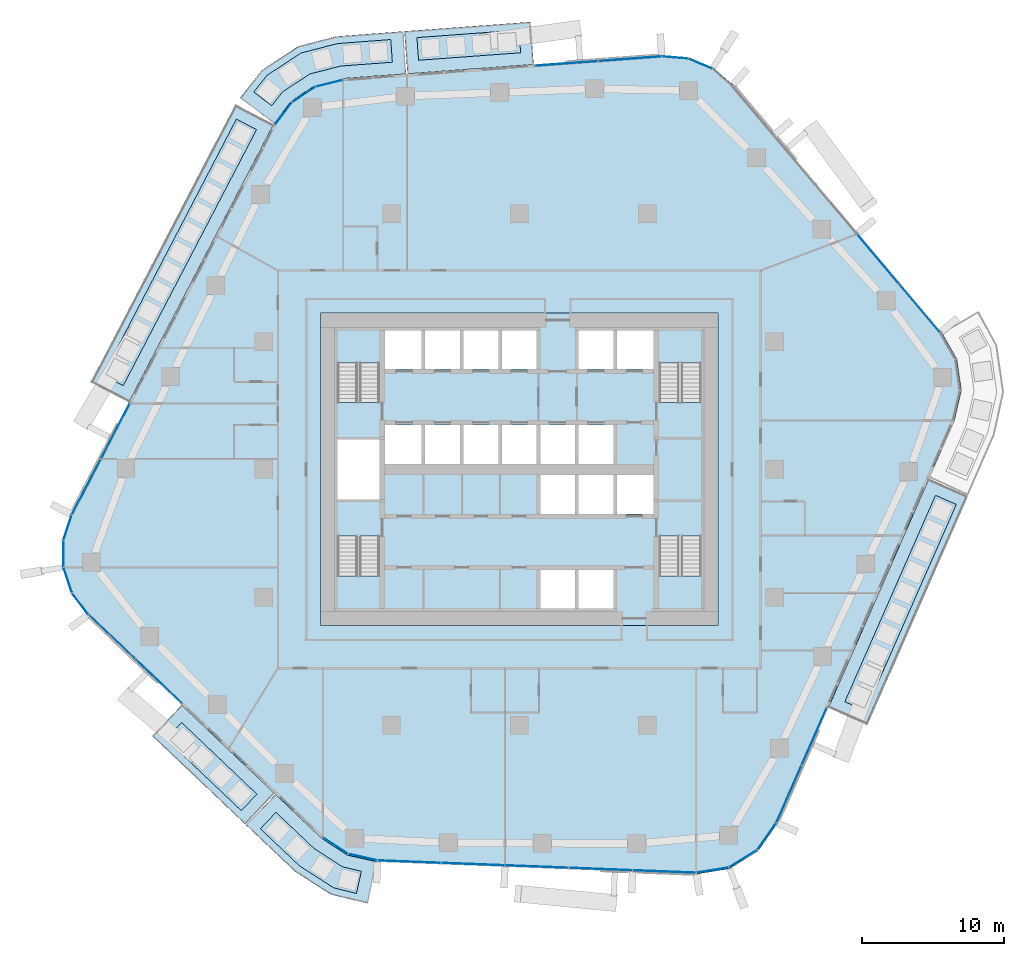
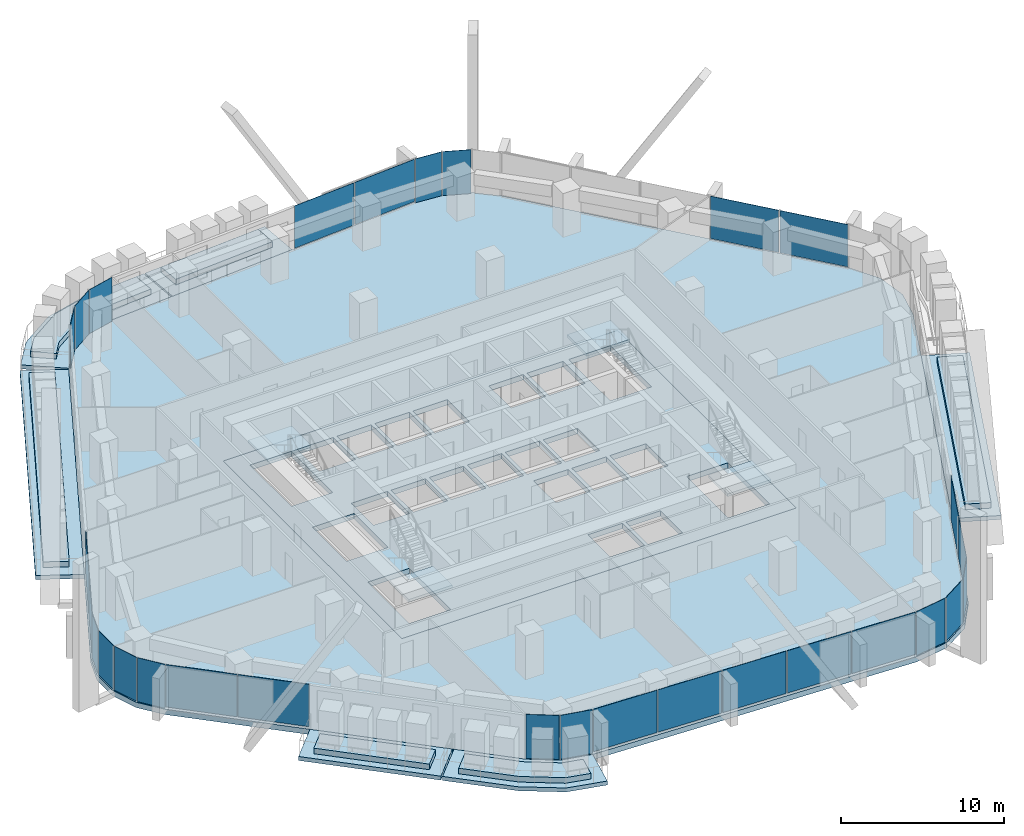
# One storey, part 10 of 24: 29 plates, 18 slabs, 15 elements without a shape of their own.
"""IFC4 building model written with IfcOpenShell, lengths in metres."""

from ifc_helpers import new_model, si_unit, direction, frame, origin, origin_2d, place, context, subcontext, project, spatial, polyline, rectangle, outline, extrude, material, layer, layer_set, type_object, element, aggregate, save


model = new_model("IFC4")

# Units and contexts
model_context = context("Model", 3, precision=1e-05, world=origin(), true_north=direction((0.0, 1.0)))
body_context = subcontext(model_context, "Body", "Model", "MODEL_VIEW")
ifc_project = project(units=[si_unit("LENGTHUNIT", "METRE"), si_unit("AREAUNIT", "SQUARE_METRE"), si_unit("VOLUMEUNIT", "CUBIC_METRE"), si_unit("PLANEANGLEUNIT", "RADIAN"), si_unit("MASSUNIT", "GRAM", prefix="KILO")], contexts=[model_context])

# Site, building, storey
site_placement = place(None, origin())
site = spatial("IfcSite", under=ifc_project, at=site_placement, CompositionType="ELEMENT")
building_placement = place(site_placement, origin())
building = spatial("IfcBuilding", under=site, at=building_placement, Name="Dongbaek Canopy Tower", CompositionType="ELEMENT")
storey_placement = place(building_placement, frame((0.0, 0.0, 128.5)))
storey = spatial("IfcBuildingStorey", under=building, at=storey_placement, Name="L28", CompositionType="ELEMENT", Elevation=128.5)

# Slabs
ifc_material_1 = material(Name="Concrete C40/50", Category="concrete")
ifc_layer_1 = layer(ifc_material_1, 0.300048828125)
ifc_layer_set_1 = layer_set([ifc_layer_1], Name="Balcony slab 300")
slab_type_1 = type_object("IfcSlabType", Name="Balcony slab 300", PredefinedType="FLOOR", material=ifc_layer_set_1)
slab_1_placement = place(storey_placement, frame((0.0, 0.0, -0.300048828125)))
element("IfcSlab", 1, at=slab_1_placement, inside=storey, type_object=slab_type_1, Name="Balcony L28 1", PredefinedType="FLOOR", context=body_context, shape_type="SweptSolid", body=[
    extrude(outline(polyline([(1.007568359375, 28.51513671875), (-7.8740234375, 27.8603515625), (-8.094482421875, 30.852294921875), (0.787109375, 31.507080078125), (1.007568359375, 28.51513671875)])), origin(), (0.0, 0.0, 1.0), 0.300048828125),
])
slab_2_placement = place(storey_placement, frame((0.0, 0.0, -0.300048828125)))
element("IfcSlab", 2, at=slab_2_placement, inside=storey, type_object=slab_type_1, Name="Balcony L28 6", PredefinedType="FLOOR", context=body_context, shape_type="SweptSolid", body=[
    extrude(outline(polyline([(-7.9736328125, 27.85302734375), (-12.41455078125, 27.525634765625), (-14.37939453125, 27.038330078125), (-16.0703125, 25.92529296875), (-17.2646484375, 24.353271484375), (-19.653564453125, 26.16796875), (-18.118896484375, 28.1171875), (-15.582275390625, 29.78662109375), (-12.887451171875, 30.48828125), (-8.1943359375, 30.844970703125), (-7.9736328125, 27.85302734375)])), origin(), (0.0, 0.0, 1.0), 0.300048828125),
])
slab_3_placement = place(storey_placement, frame((0.0, 0.0, -0.300048828125)))
element("IfcSlab", 3, at=slab_3_placement, inside=storey, type_object=slab_type_1, Name="Balcony L28 2", PredefinedType="FLOOR", context=body_context, shape_type="SweptSolid", body=[
    extrude(outline(polyline([(-17.318115234375, 24.26904296875), (-27.489990234375, 4.737548828125), (-30.150634765625, 6.123291015625), (-19.978759765625, 25.65478515625), (-17.318115234375, 24.26904296875)])), origin(), (0.0, 0.0, 1.0), 0.300048828125),
])
slab_4_placement = place(storey_placement, frame((0.0, 0.0, -0.300048828125)))
element("IfcSlab", 4, at=slab_4_placement, inside=storey, type_object=slab_type_1, Name="Balcony L28 3", PredefinedType="FLOOR", context=body_context, shape_type="SweptSolid", body=[
    extrude(outline(polyline([(-23.774169921875, -16.59130859375), (-17.242431640625, -22.805908203125), (-19.310302734375, -24.979248046875), (-25.842041015625, -18.7646484375), (-23.774169921875, -16.59130859375)])), origin(), (0.0, 0.0, 1.0), 0.300048828125),
])
slab_5_placement = place(storey_placement, frame((0.0, 0.0, -0.300048828125)))
element("IfcSlab", 5, at=slab_5_placement, inside=storey, type_object=slab_type_1, Name="Balcony L28 7", PredefinedType="FLOOR", context=body_context, shape_type="SweptSolid", body=[
    extrude(outline(polyline([(-17.169921875, -22.874755859375), (-13.904052734375, -25.982177734375), (-12.102294921875, -27.16259765625), (-10.048583984375, -27.619873046875), (-10.70068359375, -30.54833984375), (-13.269287109375, -29.92626953125), (-15.767578125, -28.3330078125), (-19.23779296875, -25.048095703125), (-17.169921875, -22.874755859375)])), origin(), (0.0, 0.0, 1.0), 0.300048828125),
])
slab_6_placement = place(storey_placement, frame((0.0, 0.0, -0.300048828125)))
element("IfcSlab", 6, at=slab_6_placement, inside=storey, type_object=slab_type_1, Name="Balcony L28 4", PredefinedType="FLOOR", context=body_context, shape_type="SweptSolid", body=[
    extrude(outline(polyline([(21.761962890625, -16.77783203125), (28.8310546875, -0.68505859375), (31.57763671875, -1.8916015625), (24.5087890625, -17.984375), (21.761962890625, -16.77783203125)])), origin(), (0.0, 0.0, 1.0), 0.300048828125),
])

# Curtain wall, plates
ifc_material_2 = material(Name="Aluminium 6063-T6 pale anodised", Category="aluminium")
ifc_layer_2 = layer(ifc_material_2, 0.199951171875)
ifc_layer_set_2 = layer_set([ifc_layer_2], Name="CW-1 unitised tower curtain wall")
curtain_wall_type = type_object("IfcCurtainWallType", Name="CW-1 unitised tower curtain wall", PredefinedType="NOTDEFINED", material=ifc_layer_set_2)
curtain_wall_1_placement = place(storey_placement, origin())
curtain_wall_1 = element("IfcCurtainWall", 7, at=curtain_wall_1_placement, inside=storey, type_object=curtain_wall_type, Name="CW-1 curtain wall F0.1", PredefinedType="NOTDEFINED")
ifc_material_3 = material(Name="Clear laminated glass", Category="glass")
ifc_layer_3 = layer(ifc_material_3, 0.028076171875)
ifc_layer_set_3 = layer_set([ifc_layer_3], Name="CW-1 glazed panel 28")
plate_type = type_object("IfcPlateType", Name="CW-1 glazed panel 28", PredefinedType="CURTAIN_PANEL", material=ifc_layer_set_3)
plate_1_placement = place(storey_placement, frame((28.1767578125, 11.36474609375, 0.1201171875), z_axis=(0.0, 0.0, 1.0), x_axis=(-0.644695650519, 0.764439348936, 0.0)))
plate_1 = element("IfcPlate", 8, at=plate_1_placement, type_object=plate_type, Name="CW-1 panel F0.1.1.1", PredefinedType="CURTAIN_PANEL", context=body_context, shape_type="SweptSolid", body=[
    extrude(rectangle(XDim=4.453125, YDim=0.028076171875, at=origin_2d()), origin(), (0.0, 0.0, 1.0), 3.179931640625),
])
plate_2_placement = place(storey_placement, frame((25.248779296875, 14.836669921875, 0.1201171875), z_axis=(0.0, 0.0, 1.0), x_axis=(-0.644695650519, 0.764439348936, 0.0)))
plate_2 = element("IfcPlate", 9, at=plate_2_placement, type_object=plate_type, Name="CW-1 panel F0.1.2.1", PredefinedType="CURTAIN_PANEL", context=body_context, shape_type="SweptSolid", body=[
    extrude(rectangle(XDim=4.46240234375, YDim=0.028076171875, at=origin_2d()), origin(), (0.0, 0.0, 1.0), 3.179931640625),
])
aggregate(curtain_wall_1, [plate_1, plate_2])

curtain_wall_2_placement = place(storey_placement, origin())
curtain_wall_2 = element("IfcCurtainWall", 10, at=curtain_wall_2_placement, inside=storey, type_object=curtain_wall_type, Name="CW-1 curtain wall K1.1", PredefinedType="NOTDEFINED")
plate_3_placement = place(storey_placement, frame((12.7392578125, 28.567138671875, 0.0), z_axis=(0.0, 0.0, 1.0), x_axis=(-0.921724446856, 0.387845386807, 0.0)))
plate_3 = element("IfcPlate", 11, at=plate_3_placement, type_object=plate_type, Name="CW-1 panel K1.1.2.1", PredefinedType="CURTAIN_PANEL", context=body_context, shape_type="SweptSolid", body=[
    extrude(rectangle(XDim=1.763916015625, YDim=0.028076171875, at=origin_2d()), origin(), (0.0, 0.0, 1.0), 3.300048828125),
])
plate_4_placement = place(storey_placement, frame((10.962890625, 29.0029296875, 0.0), z_axis=(0.0, 0.0, 1.0), x_axis=(-0.996498593, 0.08360953384, 0.0)))
plate_4 = element("IfcPlate", 12, at=plate_4_placement, type_object=plate_type, Name="CW-1 panel K1.1.3.1", PredefinedType="CURTAIN_PANEL", context=body_context, shape_type="SweptSolid", body=[
    extrude(rectangle(XDim=1.77197265625, YDim=0.028076171875, at=origin_2d()), origin(), (0.0, 0.0, 1.0), 3.300048828125),
])
aggregate(curtain_wall_2, [plate_3, plate_4])

curtain_wall_3_placement = place(storey_placement, origin())
curtain_wall_3 = element("IfcCurtainWall", 13, at=curtain_wall_3_placement, inside=storey, type_object=curtain_wall_type, Name="CW-1 curtain wall F1.1", PredefinedType="NOTDEFINED")
plate_5_placement = place(storey_placement, frame((7.796875, 28.915283203125, 0.1201171875), z_axis=(0.0, 0.0, 1.0), x_axis=(-0.997293805344, -0.073519152761, 0.0)))
plate_5 = element("IfcPlate", 14, at=plate_5_placement, type_object=plate_type, Name="CW-1 panel F1.1.1.1", PredefinedType="CURTAIN_PANEL", context=body_context, shape_type="SweptSolid", body=[
    extrude(rectangle(XDim=4.410888671875, YDim=0.028076171875, at=origin_2d()), origin(), (0.0, 0.0, 1.0), 3.179931640625),
])
plate_6_placement = place(storey_placement, frame((3.31005859375, 28.584716796875, 0.1201171875), z_axis=(0.0, 0.0, 1.0), x_axis=(-0.997293805344, -0.073519152761, 0.0)))
plate_6 = element("IfcPlate", 15, at=plate_6_placement, type_object=plate_type, Name="CW-1 panel F1.1.2.1", PredefinedType="CURTAIN_PANEL", context=body_context, shape_type="SweptSolid", body=[
    extrude(rectangle(XDim=4.418701171875, YDim=0.028076171875, at=origin_2d()), origin(), (0.0, 0.0, 1.0), 3.179931640625),
])
aggregate(curtain_wall_3, [plate_5, plate_6])

curtain_wall_4_placement = place(storey_placement, origin())
curtain_wall_4 = element("IfcCurtainWall", 16, at=curtain_wall_4_placement, inside=storey, type_object=curtain_wall_type, Name="CW-1 curtain wall K2.1", PredefinedType="NOTDEFINED")
plate_7_placement = place(storey_placement, frame((-13.36865234375, 27.18603515625, 0.0), z_axis=(0.0, 0.0, 1.0), x_axis=(-0.970597377622, -0.240708808634, 0.0)))
plate_7 = element("IfcPlate", 17, at=plate_7_placement, type_object=plate_type, Name="CW-1 panel K2.1.1.1", PredefinedType="CURTAIN_PANEL", context=body_context, shape_type="SweptSolid", body=[
    extrude(rectangle(XDim=1.914794921875, YDim=0.028076171875, at=origin_2d()), origin(), (0.0, 0.0, 1.0), 3.300048828125),
])
plate_8_placement = place(storey_placement, frame((-15.169921875, 26.3984375, 0.0), z_axis=(0.0, 0.0, 1.0), x_axis=(-0.835300549242, -0.549793590756, 0.0)))
plate_8 = element("IfcPlate", 18, at=plate_8_placement, type_object=plate_type, Name="CW-1 panel K2.1.2.1", PredefinedType="CURTAIN_PANEL", context=body_context, shape_type="SweptSolid", body=[
    extrude(rectangle(XDim=1.90625, YDim=0.028076171875, at=origin_2d()), origin(), (0.0, 0.0, 1.0), 3.300048828125),
])
plate_9_placement = place(storey_placement, frame((-16.60546875, 25.055419921875, 0.0), z_axis=(0.0, 0.0, 1.0), x_axis=(-0.604914247086, -0.796290621364, 0.0)))
plate_9 = element("IfcPlate", 19, at=plate_9_placement, type_object=plate_type, Name="CW-1 panel K2.1.3.1", PredefinedType="CURTAIN_PANEL", context=body_context, shape_type="SweptSolid", body=[
    extrude(rectangle(XDim=1.914794921875, YDim=0.028076171875, at=origin_2d()), origin(), (0.0, 0.0, 1.0), 3.300048828125),
])
aggregate(curtain_wall_4, [plate_7, plate_8, plate_9])

curtain_wall_5_placement = place(storey_placement, origin())
curtain_wall_5 = element("IfcCurtainWall", 20, at=curtain_wall_5_placement, inside=storey, type_object=curtain_wall_type, Name="CW-1 curtain wall F2.1", PredefinedType="NOTDEFINED")
plate_10_placement = place(storey_placement, frame((-28.4462890625, 2.68505859375, 0.1201171875), z_axis=(0.0, 0.0, 1.0), x_axis=(-0.461910135693, -0.886926731215, 0.0)))
plate_10 = element("IfcPlate", 21, at=plate_10_placement, type_object=plate_type, Name="CW-1 panel F2.1.1.1", PredefinedType="CURTAIN_PANEL", context=body_context, shape_type="SweptSolid", body=[
    extrude(rectangle(XDim=4.34033203125, YDim=0.028076171875, at=origin_2d()), origin(), (0.0, 0.0, 1.0), 3.179931640625),
])
plate_11_placement = place(storey_placement, frame((-30.488037109375, -1.2353515625, 0.1201171875), z_axis=(0.0, 0.0, 1.0), x_axis=(-0.461910135693, -0.886926731215, 0.0)))
plate_11 = element("IfcPlate", 22, at=plate_11_placement, type_object=plate_type, Name="CW-1 panel F2.1.2.1", PredefinedType="CURTAIN_PANEL", context=body_context, shape_type="SweptSolid", body=[
    extrude(rectangle(XDim=4.332275390625, YDim=0.028076171875, at=origin_2d()), origin(), (0.0, 0.0, 1.0), 3.179931640625),
])
aggregate(curtain_wall_5, [plate_10, plate_11])

curtain_wall_6_placement = place(storey_placement, origin())
curtain_wall_6 = element("IfcCurtainWall", 23, at=curtain_wall_6_placement, inside=storey, type_object=curtain_wall_type, Name="CW-1 curtain wall K3.1", PredefinedType="NOTDEFINED")
plate_12_placement = place(storey_placement, frame((-31.80615234375, -4.097412109375, 0.0), z_axis=(0.0, 0.0, 1.0), x_axis=(-0.31347024555, -0.949598022931, 0.0)))
plate_12 = element("IfcPlate", 24, at=plate_12_placement, type_object=plate_type, Name="CW-1 panel K3.1.1.1", PredefinedType="CURTAIN_PANEL", context=body_context, shape_type="SweptSolid", body=[
    extrude(rectangle(XDim=1.81884765625, YDim=0.028076171875, at=origin_2d()), origin(), (0.0, 0.0, 1.0), 3.300048828125),
])
plate_13_placement = place(storey_placement, frame((-32.100830078125, -5.9482421875, 0.0), z_axis=(0.0, 0.0, 1.0), x_axis=(0.003759466115, -0.999992933182, 0.0)))
plate_13 = element("IfcPlate", 25, at=plate_13_placement, type_object=plate_type, Name="CW-1 panel K3.1.2.1", PredefinedType="CURTAIN_PANEL", context=body_context, shape_type="SweptSolid", body=[
    extrude(rectangle(XDim=1.810791015625, YDim=0.028076171875, at=origin_2d()), origin(), (0.0, 0.0, 1.0), 3.300048828125),
])
plate_14_placement = place(storey_placement, frame((-31.79345703125, -7.79296875, 0.0), z_axis=(0.0, 0.0, 1.0), x_axis=(0.320601297373, -0.9472142356, 0.0)))
plate_14 = element("IfcPlate", 26, at=plate_14_placement, type_object=plate_type, Name="CW-1 panel K3.1.3.1", PredefinedType="CURTAIN_PANEL", context=body_context, shape_type="SweptSolid", body=[
    extrude(rectangle(XDim=1.810791015625, YDim=0.028076171875, at=origin_2d()), origin(), (0.0, 0.0, 1.0), 3.300048828125),
])
plate_15_placement = place(storey_placement, frame((-30.914794921875, -9.4482421875, 0.0), z_axis=(0.0, 0.0, 1.0), x_axis=(0.604365302334, -0.796707337317, 0.0)))
plate_15 = element("IfcPlate", 27, at=plate_15_placement, type_object=plate_type, Name="CW-1 panel K3.1.4.1", PredefinedType="CURTAIN_PANEL", context=body_context, shape_type="SweptSolid", body=[
    extrude(rectangle(XDim=1.81884765625, YDim=0.028076171875, at=origin_2d()), origin(), (0.0, 0.0, 1.0), 3.300048828125),
])
aggregate(curtain_wall_6, [plate_12, plate_13, plate_14, plate_15])

curtain_wall_7_placement = place(storey_placement, origin())
curtain_wall_7 = element("IfcCurtainWall", 28, at=curtain_wall_7_placement, inside=storey, type_object=curtain_wall_type, Name="CW-1 curtain wall F3.1", PredefinedType="NOTDEFINED")
plate_16_placement = place(storey_placement, frame((-28.691650390625, -11.7744140625, 0.1201171875), z_axis=(0.0, 0.0, 1.0), x_axis=(0.724474243555, -0.689301871769, 0.0)))
plate_16 = element("IfcPlate", 29, at=plate_16_placement, type_object=plate_type, Name="CW-1 panel F3.1.1.1", PredefinedType="CURTAIN_PANEL", context=body_context, shape_type="SweptSolid", body=[
    extrude(rectangle(XDim=4.4658203125, YDim=0.028076171875, at=origin_2d()), origin(), (0.0, 0.0, 1.0), 3.179931640625),
])
plate_17_placement = place(storey_placement, frame((-25.392578125, -14.913330078125, 0.1201171875), z_axis=(0.0, 0.0, 1.0), x_axis=(0.724474243555, -0.689301871769, 0.0)))
plate_17 = element("IfcPlate", 30, at=plate_17_placement, type_object=plate_type, Name="CW-1 panel F3.1.2.1", PredefinedType="CURTAIN_PANEL", context=body_context, shape_type="SweptSolid", body=[
    extrude(rectangle(XDim=4.473876953125, YDim=0.028076171875, at=origin_2d()), origin(), (0.0, 0.0, 1.0), 3.179931640625),
])
aggregate(curtain_wall_7, [plate_16, plate_17])

curtain_wall_8_placement = place(storey_placement, origin())
curtain_wall_8 = element("IfcCurtainWall", 31, at=curtain_wall_8_placement, inside=storey, type_object=curtain_wall_type, Name="CW-1 curtain wall K4.1", PredefinedType="NOTDEFINED")
plate_18_placement = place(storey_placement, frame((-12.9521484375, -26.486328125, 0.0), z_axis=(0.0, 0.0, 1.0), x_axis=(0.83643911964, -0.548059849958, 0.0)))
plate_18 = element("IfcPlate", 32, at=plate_18_placement, type_object=plate_type, Name="CW-1 panel K4.1.1.1", PredefinedType="CURTAIN_PANEL", context=body_context, shape_type="SweptSolid", body=[
    extrude(rectangle(XDim=2.042724609375, YDim=0.028076171875, at=origin_2d()), origin(), (0.0, 0.0, 1.0), 3.300048828125),
])
plate_19_placement = place(storey_placement, frame((-11.02490234375, -27.300048828125, 0.0), z_axis=(0.0, 0.0, 1.0), x_axis=(0.976098056776, -0.21733058588, 0.0)))
plate_19 = element("IfcPlate", 33, at=plate_19_placement, type_object=plate_type, Name="CW-1 panel K4.1.2.1", PredefinedType="CURTAIN_PANEL", context=body_context, shape_type="SweptSolid", body=[
    extrude(rectangle(XDim=2.042724609375, YDim=0.028076171875, at=origin_2d()), origin(), (0.0, 0.0, 1.0), 3.300048828125),
])
aggregate(curtain_wall_8, [plate_18, plate_19])

curtain_wall_9_placement = place(storey_placement, origin())
curtain_wall_9 = element("IfcCurtainWall", 34, at=curtain_wall_9_placement, inside=storey, type_object=curtain_wall_type, Name="CW-1 curtain wall F4.1", PredefinedType="NOTDEFINED")
plate_20_placement = place(storey_placement, frame((-7.7451171875, -27.61767578125, 0.1201171875), z_axis=(0.0, 0.0, 1.0), x_axis=(0.999255235504, -0.038587229989, 0.0)))
plate_20 = element("IfcPlate", 35, at=plate_20_placement, type_object=plate_type, Name="CW-1 panel F4.1.1.1", PredefinedType="CURTAIN_PANEL", context=body_context, shape_type="SweptSolid", body=[
    extrude(rectangle(XDim=4.40283203125, YDim=0.028076171875, at=origin_2d()), origin(), (0.0, 0.0, 1.0), 3.179931640625),
])
plate_21_placement = place(storey_placement, frame((-3.25732421875, -27.791015625, 0.1201171875), z_axis=(0.0, 0.0, 1.0), x_axis=(0.999255235504, -0.038587229989, 0.0)))
plate_21 = element("IfcPlate", 36, at=plate_21_placement, type_object=plate_type, Name="CW-1 panel F4.1.2.1", PredefinedType="CURTAIN_PANEL", context=body_context, shape_type="SweptSolid", body=[
    extrude(rectangle(XDim=4.411865234375, YDim=0.028076171875, at=origin_2d()), origin(), (0.0, 0.0, 1.0), 3.179931640625),
])
plate_22_placement = place(storey_placement, frame((1.235107421875, -27.964599609375, 0.1201171875), z_axis=(0.0, 0.0, 1.0), x_axis=(0.999255235504, -0.038587229989, 0.0)))
plate_22 = element("IfcPlate", 37, at=plate_22_placement, type_object=plate_type, Name="CW-1 panel F4.1.3.1", PredefinedType="CURTAIN_PANEL", context=body_context, shape_type="SweptSolid", body=[
    extrude(rectangle(XDim=4.411865234375, YDim=0.028076171875, at=origin_2d()), origin(), (0.0, 0.0, 1.0), 3.179931640625),
])
plate_23_placement = place(storey_placement, frame((5.7275390625, -28.137939453125, 0.1201171875), z_axis=(0.0, 0.0, 1.0), x_axis=(0.999255235504, -0.038587229989, 0.0)))
plate_23 = element("IfcPlate", 38, at=plate_23_placement, type_object=plate_type, Name="CW-1 panel F4.1.4.1", PredefinedType="CURTAIN_PANEL", context=body_context, shape_type="SweptSolid", body=[
    extrude(rectangle(XDim=4.411865234375, YDim=0.028076171875, at=origin_2d()), origin(), (0.0, 0.0, 1.0), 3.179931640625),
])
plate_24_placement = place(storey_placement, frame((10.215087890625, -28.311279296875, 0.1201171875), z_axis=(0.0, 0.0, 1.0), x_axis=(0.999255235504, -0.038587229989, 0.0)))
plate_24 = element("IfcPlate", 39, at=plate_24_placement, type_object=plate_type, Name="CW-1 panel F4.1.5.1", PredefinedType="CURTAIN_PANEL", context=body_context, shape_type="SweptSolid", body=[
    extrude(rectangle(XDim=4.40185546875, YDim=0.028076171875, at=origin_2d()), origin(), (0.0, 0.0, 1.0), 3.179931640625),
])
aggregate(curtain_wall_9, [plate_20, plate_21, plate_22, plate_23, plate_24])

curtain_wall_10_placement = place(storey_placement, origin())
curtain_wall_10 = element("IfcCurtainWall", 40, at=curtain_wall_10_placement, inside=storey, type_object=curtain_wall_type, Name="CW-1 curtain wall K5.1", PredefinedType="NOTDEFINED")
plate_25_placement = place(storey_placement, frame((13.61376953125, -28.21044921875, 0.0), z_axis=(0.0, 0.0, 1.0), x_axis=(0.987122987315, 0.159963145489, 0.0)))
plate_25 = element("IfcPlate", 41, at=plate_25_placement, type_object=plate_type, Name="CW-1 panel K5.1.1.1", PredefinedType="CURTAIN_PANEL", context=body_context, shape_type="SweptSolid", body=[
    extrude(rectangle(XDim=2.260986328125, YDim=0.028076171875, at=origin_2d()), origin(), (0.0, 0.0, 1.0), 3.300048828125),
])
plate_26_placement = place(storey_placement, frame((15.7607421875, -27.403564453125, 0.0), z_axis=(0.0, 0.0, 1.0), x_axis=(0.847704415515, 0.53046887177, 0.0)))
plate_26 = element("IfcPlate", 42, at=plate_26_placement, type_object=plate_type, Name="CW-1 panel K5.1.2.1", PredefinedType="CURTAIN_PANEL", context=body_context, shape_type="SweptSolid", body=[
    extrude(rectangle(XDim=2.250732421875, YDim=0.028076171875, at=origin_2d()), origin(), (0.0, 0.0, 1.0), 3.300048828125),
])
plate_27_placement = place(storey_placement, frame((17.425048828125, -25.8251953125, 0.0), z_axis=(0.0, 0.0, 1.0), x_axis=(0.575440362744, 0.817843743587, 0.0)))
plate_27 = element("IfcPlate", 43, at=plate_27_placement, type_object=plate_type, Name="CW-1 panel K5.1.3.1", PredefinedType="CURTAIN_PANEL", context=body_context, shape_type="SweptSolid", body=[
    extrude(rectangle(XDim=2.260986328125, YDim=0.028076171875, at=origin_2d()), origin(), (0.0, 0.0, 1.0), 3.300048828125),
])
aggregate(curtain_wall_10, [plate_25, plate_26, plate_27])

curtain_wall_11_placement = place(storey_placement, origin())
curtain_wall_11 = element("IfcCurtainWall", 44, at=curtain_wall_11_placement, inside=storey, type_object=curtain_wall_type, Name="CW-1 curtain wall F5.1", PredefinedType="NOTDEFINED")
plate_28_placement = place(storey_placement, frame((18.986572265625, -22.847900390625, 0.1201171875), z_axis=(0.0, 0.0, 1.0), x_axis=(0.402176063698, 0.915562348389, 0.0)))
plate_28 = element("IfcPlate", 45, at=plate_28_placement, type_object=plate_type, Name="CW-1 panel F5.1.1.1", PredefinedType="CURTAIN_PANEL", context=body_context, shape_type="SweptSolid", body=[
    extrude(rectangle(XDim=4.3251953125, YDim=0.028076171875, at=origin_2d()), origin(), (0.0, 0.0, 1.0), 3.179931640625),
])
plate_29_placement = place(storey_placement, frame((20.76171875, -18.806396484375, 0.1201171875), z_axis=(0.0, 0.0, 1.0), x_axis=(0.402176063698, 0.915562348389, 0.0)))
plate_29 = element("IfcPlate", 46, at=plate_29_placement, type_object=plate_type, Name="CW-1 panel F5.1.2.1", PredefinedType="CURTAIN_PANEL", context=body_context, shape_type="SweptSolid", body=[
    extrude(rectangle(XDim=4.335205078125, YDim=0.028076171875, at=origin_2d()), origin(), (0.0, 0.0, 1.0), 3.179931640625),
])
aggregate(curtain_wall_11, [plate_28, plate_29])

# Slab
ifc_material_4 = material(Name="Concrete C40/50", Category="concrete")
ifc_layer_4 = layer(ifc_material_4, 0.39990234375)
ifc_layer_set_4 = layer_set([ifc_layer_4], Name="Core floor slab 400 Concrete C40/50")
slab_type_2 = type_object("IfcSlabType", Name="Core floor slab 400 Concrete C40/50", PredefinedType="FLOOR", material=ifc_layer_set_4)
slab_7_placement = place(storey_placement, frame((0.0, 0.0, -0.39990234375)))
element("IfcSlab", 47, at=slab_7_placement, inside=storey, type_object=slab_type_2, Name="Core floor slab L28", PredefinedType="FLOOR", context=body_context, shape_type="SweptSolid", body=[
    extrude(outline(polyline([(14.0, -11.0), (14.0, 11.0), (-14.0, 11.0), (-14.0, -11.0), (14.0, -11.0)]), holes=[polyline([(-12.800048828125, 2.10009765625), (-9.85009765625, 2.10009765625), (-9.85009765625, -2.10009765625), (-12.800048828125, -2.10009765625), (-12.800048828125, 2.10009765625)]), polyline([(-6.875, 9.800048828125), (-6.875, 7.074951171875), (-9.449951171875, 7.074951171875), (-9.449951171875, 9.800048828125), (-6.875, 9.800048828125)]), polyline([(-4.175048828125, 9.800048828125), (-4.175048828125, 7.074951171875), (-6.625, 7.074951171875), (-6.625, 9.800048828125), (-4.175048828125, 9.800048828125)]), polyline([(-1.47509765625, 9.800048828125), (-1.47509765625, 7.074951171875), (-3.925048828125, 7.074951171875), (-3.925048828125, 9.800048828125), (-1.47509765625, 9.800048828125)]), polyline([(1.22509765625, 9.800048828125), (1.22509765625, 7.074951171875), (-1.22509765625, 7.074951171875), (-1.22509765625, 9.800048828125), (1.22509765625, 9.800048828125)]), polyline([(6.625, 9.800048828125), (6.625, 7.074951171875), (4.175048828125, 7.074951171875), (4.175048828125, 9.800048828125), (6.625, 9.800048828125)]), polyline([(9.449951171875, 7.074951171875), (6.875, 7.074951171875), (6.875, 9.800048828125), (9.449951171875, 9.800048828125), (9.449951171875, 7.074951171875)]), polyline([(-9.449951171875, 3.125), (-6.875, 3.125), (-6.875, 0.39990234375), (-9.449951171875, 0.39990234375), (-9.449951171875, 3.125)]), polyline([(-6.625, 3.125), (-4.175048828125, 3.125), (-4.175048828125, 0.39990234375), (-6.625, 0.39990234375), (-6.625, 3.125)]), polyline([(-3.925048828125, 3.125), (-1.47509765625, 3.125), (-1.47509765625, 0.39990234375), (-3.925048828125, 0.39990234375), (-3.925048828125, 3.125)]), polyline([(1.22509765625, 3.125), (1.22509765625, 0.39990234375), (-1.22509765625, 0.39990234375), (-1.22509765625, 3.125), (1.22509765625, 3.125)]), polyline([(1.47509765625, 3.125), (3.925048828125, 3.125), (3.925048828125, 0.39990234375), (1.47509765625, 0.39990234375), (1.47509765625, 3.125)]), polyline([(4.175048828125, 3.125), (6.625, 3.125), (6.625, 0.39990234375), (4.175048828125, 0.39990234375), (4.175048828125, 3.125)]), polyline([(1.47509765625, -0.39990234375), (3.925048828125, -0.39990234375), (3.925048828125, -3.125), (1.47509765625, -3.125), (1.47509765625, -0.39990234375)]), polyline([(4.175048828125, -0.39990234375), (6.625, -0.39990234375), (6.625, -3.125), (4.175048828125, -3.125), (4.175048828125, -0.39990234375)]), polyline([(9.449951171875, -3.125), (6.875, -3.125), (6.875, -0.39990234375), (9.449951171875, -0.39990234375), (9.449951171875, -3.125)]), polyline([(1.47509765625, -9.800048828125), (1.47509765625, -7.074951171875), (3.925048828125, -7.074951171875), (3.925048828125, -9.800048828125), (1.47509765625, -9.800048828125)]), polyline([(4.175048828125, -9.800048828125), (4.175048828125, -7.074951171875), (6.625, -7.074951171875), (6.625, -9.800048828125), (4.175048828125, -9.800048828125)]), polyline([(12.800048828125, 4.70068359375), (12.800048828125, 9.800048828125), (9.85009765625, 9.800048828125), (9.85009765625, 4.70068359375), (12.800048828125, 4.70068359375)]), polyline([(-9.85009765625, 4.70068359375), (-9.85009765625, 9.800048828125), (-12.800048828125, 9.800048828125), (-12.800048828125, 4.70068359375), (-9.85009765625, 4.70068359375)]), polyline([(9.85009765625, -4.70068359375), (9.85009765625, -9.800048828125), (12.800048828125, -9.800048828125), (12.800048828125, -4.70068359375), (9.85009765625, -4.70068359375)]), polyline([(-12.800048828125, -4.70068359375), (-12.800048828125, -9.800048828125), (-9.85009765625, -9.800048828125), (-9.85009765625, -4.70068359375), (-12.800048828125, -4.70068359375)])]), origin(), (0.0, 0.0, 1.0), 0.39990234375),
])

# Stair, slab
ifc_material_5 = material(Name="Concrete C40/50", Category="concrete")
stair_type = type_object("IfcStairType", Name="Core exit stair", PredefinedType="HALF_TURN_STAIR", material=ifc_material_5)
stair_1_placement = place(storey_placement, origin())
stair_1 = element("IfcStair", 48, at=stair_1_placement, inside=storey, type_object=stair_type, Name="L28 exit stair A", PredefinedType="HALF_TURN_STAIR")
ifc_material_6 = material(Name="Concrete C40/50", Category="concrete")
ifc_layer_5 = layer(ifc_material_6, 0.199951171875)
ifc_layer_set_5 = layer_set([ifc_layer_5], Name="Core stair landing 200")
slab_type_3 = type_object("IfcSlabType", Name="Core stair landing 200", PredefinedType="LANDING", material=ifc_layer_set_5)
slab_8_placement = place(storey_placement, frame((0.0, 0.0, 1.64990234375)))
slab_8 = element("IfcSlab", 49, at=slab_8_placement, type_object=slab_type_3, Name="ST-A landing 1", PredefinedType="LANDING", context=body_context, shape_type="SweptSolid", body=[
    extrude(outline(polyline([(12.875, 7.5), (12.875, 9.875), (9.77490234375, 9.875), (9.77490234375, 7.5), (12.875, 7.5)])), origin(), (0.0, 0.0, 1.0), 0.2001953125),
])
aggregate(stair_1, [slab_8])

stair_2_placement = place(storey_placement, origin())
stair_2 = element("IfcStair", 50, at=stair_2_placement, inside=storey, type_object=stair_type, Name="L28 exit stair C", PredefinedType="HALF_TURN_STAIR")
slab_9_placement = place(storey_placement, frame((0.0, 0.0, 1.64990234375)))
slab_9 = element("IfcSlab", 51, at=slab_9_placement, type_object=slab_type_3, Name="ST-C landing 1", PredefinedType="LANDING", context=body_context, shape_type="SweptSolid", body=[
    extrude(outline(polyline([(-9.77490234375, 7.5), (-9.77490234375, 9.875), (-12.875, 9.875), (-12.875, 7.5), (-9.77490234375, 7.5)])), origin(), (0.0, 0.0, 1.0), 0.2001953125),
])
aggregate(stair_2, [slab_9])

stair_3_placement = place(storey_placement, origin())
stair_3 = element("IfcStair", 52, at=stair_3_placement, inside=storey, type_object=stair_type, Name="L28 exit stair B", PredefinedType="HALF_TURN_STAIR")
slab_10_placement = place(storey_placement, frame((0.0, 0.0, 1.64990234375)))
slab_10 = element("IfcSlab", 53, at=slab_10_placement, type_object=slab_type_3, Name="ST-B landing 1", PredefinedType="LANDING", context=body_context, shape_type="SweptSolid", body=[
    extrude(outline(polyline([(9.77490234375, -7.5), (9.77490234375, -9.875), (12.875, -9.875), (12.875, -7.5), (9.77490234375, -7.5)])), origin(), (0.0, 0.0, 1.0), 0.2001953125),
])
aggregate(stair_3, [slab_10])

stair_4_placement = place(storey_placement, origin())
stair_4 = element("IfcStair", 54, at=stair_4_placement, inside=storey, type_object=stair_type, Name="L28 exit stair D", PredefinedType="HALF_TURN_STAIR")
slab_11_placement = place(storey_placement, frame((0.0, 0.0, 1.64990234375)))
slab_11 = element("IfcSlab", 55, at=slab_11_placement, type_object=slab_type_3, Name="ST-D landing 1", PredefinedType="LANDING", context=body_context, shape_type="SweptSolid", body=[
    extrude(outline(polyline([(-12.875, -7.5), (-12.875, -9.875), (-9.77490234375, -9.875), (-9.77490234375, -7.5), (-12.875, -7.5)])), origin(), (0.0, 0.0, 1.0), 0.2001953125),
])
aggregate(stair_4, [slab_11])

# Slabs
ifc_material_7 = material(Name="Concrete C40", Category="concrete")
ifc_layer_6 = layer(ifc_material_7, 0.39990234375)
ifc_layer_set_6 = layer_set([ifc_layer_6], Name="RC FLAT PLATE 400 Concrete C40")
slab_type_4 = type_object("IfcSlabType", Name="RC FLAT PLATE 400 Concrete C40", PredefinedType="FLOOR", material=ifc_layer_set_6)
slab_12_placement = place(storey_placement, frame((0.0, 0.0, -0.39990234375)))
element("IfcSlab", 56, at=slab_12_placement, inside=storey, type_object=slab_type_4, Name="SLAB:L28", PredefinedType="FLOOR", context=body_context, shape_type="SweptSolid", body=[
    extrude(outline(polyline([(18.1875, -24.915771484375), (16.820556640625, -26.8583984375), (14.80712890625, -28.118408203125), (12.46240234375, -28.498291015625), (-9.999755859375, -27.630859375), (-12.102294921875, -27.16259765625), (-13.904052734375, -25.982177734375), (-30.41455078125, -10.273193359375), (-31.579345703125, -8.73779296875), (-32.197265625, -6.912109375), (-32.20458984375, -4.985107421875), (-31.600341796875, -3.15478515625), (-17.294921875, 24.3134765625), (-16.0703125, 25.92529296875), (-14.37939453125, 27.038330078125), (-12.41455078125, 27.525634765625), (10.038818359375, 29.180908203125), (11.911865234375, 29.023681640625), (13.64453125, 28.294677734375), (15.06640625, 27.065185546875), (29.7216796875, 9.68798828125), (30.81298828125, 7.759033203125), (31.129638671875, 5.565673828125), (30.62841796875, 3.40673828125), (18.1875, -24.915771484375)]), holes=[polyline([(14.0, 11.0), (-14.0, 11.0), (-14.0, -11.0), (14.0, -11.0), (14.0, 11.0)])]), origin(), (0.0, 0.0, 1.0), 0.39990234375),
])
ifc_material_8 = material(Name="Reinforced concrete C40/50 planter box with soil", Category="concrete")
ifc_layer_7 = layer(ifc_material_8, 0.419921875)
ifc_layer_set_7 = layer_set([ifc_layer_7], Name="Terrace planter box 1600 x 420")
slab_type_5 = type_object("IfcSlabType", Name="Terrace planter box 1600 x 420", PredefinedType="USERDEFINED", material=ifc_layer_set_7)
slab_13_placement = place(storey_placement, origin())
element("IfcSlab", 57, at=slab_13_placement, inside=storey, type_object=slab_type_5, Name="Balcony planter L28 1", ObjectType="PLANTER", PredefinedType="USERDEFINED", context=body_context, shape_type="SweptSolid", body=[
    extrude(outline(polyline([(0.094482421875, 29.34033203125), (-7.091796875, 28.810546875), (-7.209228515625, 30.40625), (-0.023193359375, 30.93603515625), (0.094482421875, 29.34033203125)])), origin(), (0.0, 0.0, 1.0), 0.419921875),
])
slab_14_placement = place(storey_placement, origin())
element("IfcSlab", 58, at=slab_14_placement, inside=storey, type_object=slab_type_5, Name="Balcony planter L28 6", ObjectType="PLANTER", PredefinedType="USERDEFINED", context=body_context, shape_type="SweptSolid", body=[
    extrude(outline(polyline([(-8.936767578125, 28.674560546875), (-12.5546875, 28.404541015625), (-14.736328125, 27.853759765625), (-16.677978515625, 26.57568359375), (-17.428955078125, 25.608154296875), (-18.702880859375, 26.576171875), (-17.7705078125, 27.74462890625), (-15.3779296875, 29.3193359375), (-12.80712890625, 29.984619140625), (-9.05419921875, 30.270263671875), (-8.936767578125, 28.674560546875)])), origin(), (0.0, 0.0, 1.0), 0.419921875),
])
slab_15_placement = place(storey_placement, origin())
element("IfcSlab", 59, at=slab_15_placement, inside=storey, type_object=slab_type_5, Name="Balcony planter L28 2", ObjectType="PLANTER", PredefinedType="USERDEFINED", context=body_context, shape_type="SweptSolid", body=[
    extrude(outline(polyline([(-18.5, 23.92626953125), (-27.88671875, 5.902587890625), (-29.305908203125, 6.6416015625), (-19.919189453125, 24.665283203125), (-18.5, 23.92626953125)])), origin(), (0.0, 0.0, 1.0), 0.419921875),
])
slab_16_placement = place(storey_placement, origin())
element("IfcSlab", 60, at=slab_16_placement, inside=storey, type_object=slab_type_5, Name="Balcony planter L28 3", ObjectType="PLANTER", PredefinedType="USERDEFINED", context=body_context, shape_type="SweptSolid", body=[
    extrude(outline(polyline([(-23.771728515625, -17.82177734375), (-18.4716796875, -22.86474609375), (-19.574462890625, -24.02392578125), (-24.874755859375, -18.98095703125), (-23.771728515625, -17.82177734375)])), origin(), (0.0, 0.0, 1.0), 0.419921875),
])
slab_17_placement = place(storey_placement, origin())
element("IfcSlab", 61, at=slab_17_placement, inside=storey, type_object=slab_type_5, Name="Balcony planter L28 7", ObjectType="PLANTER", PredefinedType="USERDEFINED", context=body_context, shape_type="SweptSolid", body=[
    extrude(outline(polyline([(-17.13134765625, -24.139892578125), (-14.45703125, -26.679443359375), (-12.448486328125, -27.982666015625), (-11.12060546875, -28.29296875), (-11.46826171875, -29.854736328125), (-13.071044921875, -29.45654296875), (-15.450927734375, -27.933349609375), (-18.234375, -25.299072265625), (-17.13134765625, -24.139892578125)])), origin(), (0.0, 0.0, 1.0), 0.419921875),
])
slab_18_placement = place(storey_placement, origin())
element("IfcSlab", 62, at=slab_18_placement, inside=storey, type_object=slab_type_5, Name="Balcony planter L28 4", ObjectType="PLANTER", PredefinedType="USERDEFINED", context=body_context, shape_type="SweptSolid", body=[
    extrude(outline(polyline([(22.918701171875, -16.357421875), (29.303955078125, -1.8212890625), (30.76904296875, -2.46484375), (24.3837890625, -17.0009765625), (22.918701171875, -16.357421875)])), origin(), (0.0, 0.0, 1.0), 0.419921875),
])

save(model, "model.ifc")
